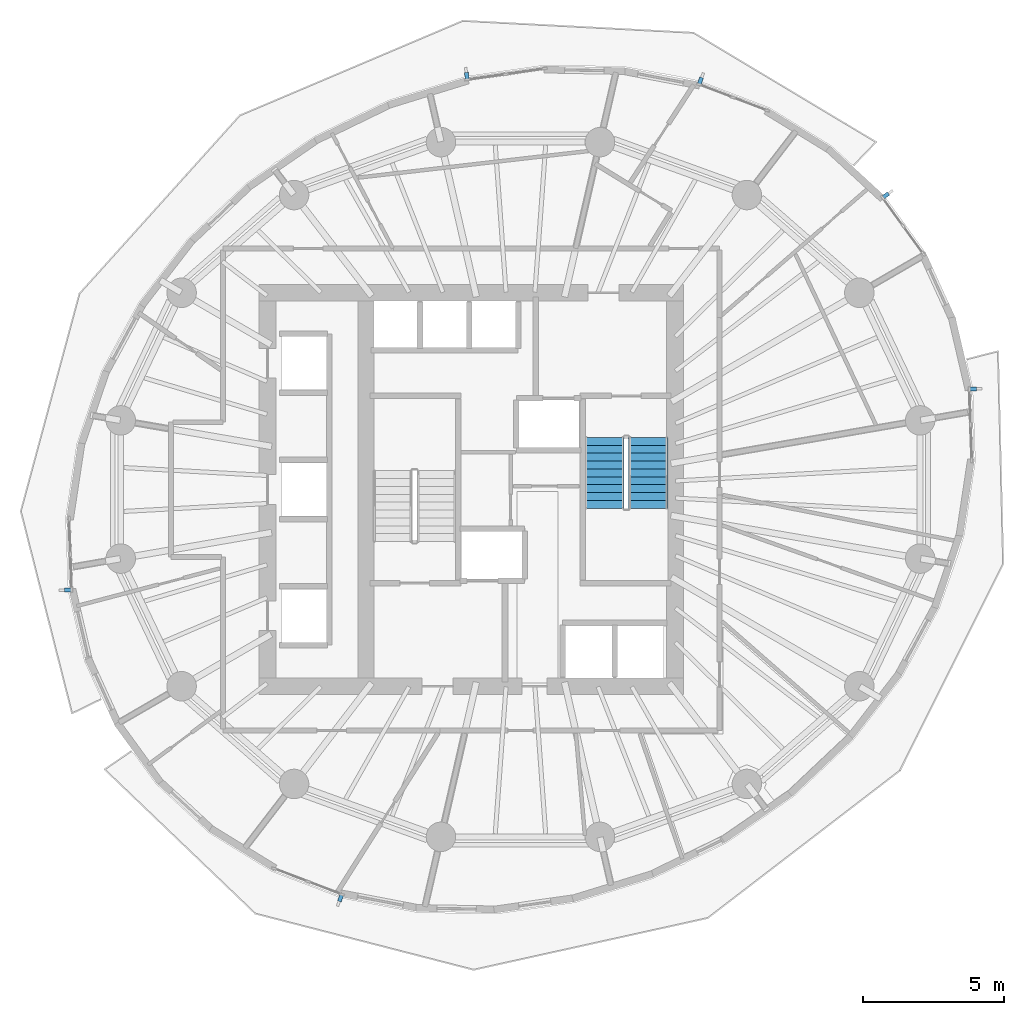
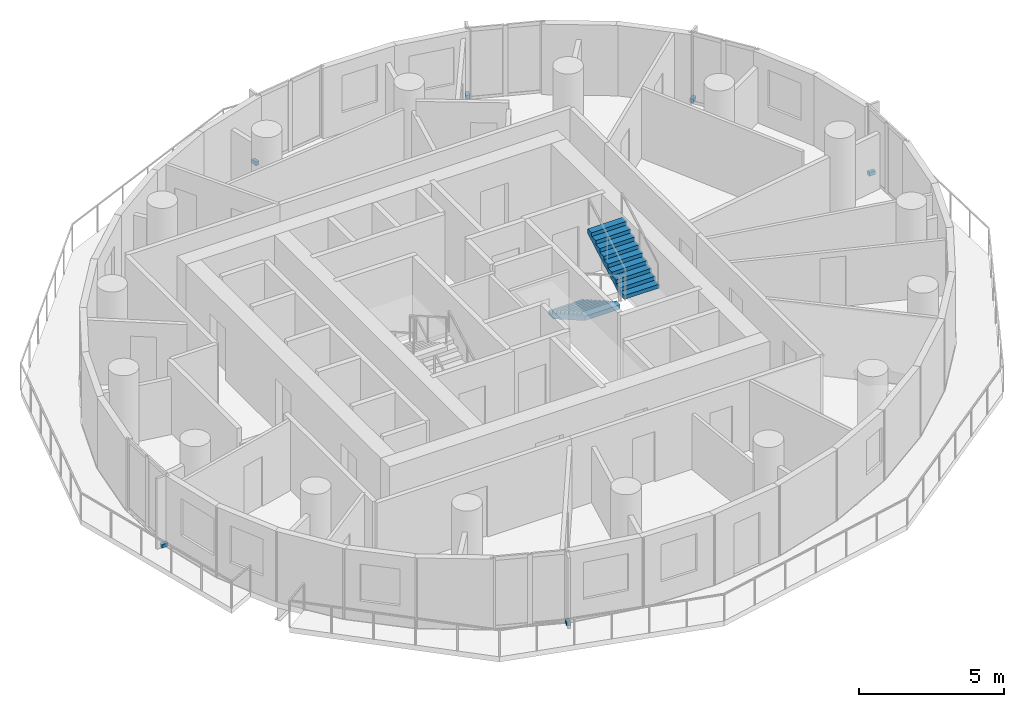
# One storey, part 9 of 14: 6 discrete accessories, 2 stair flights, 1 element without a shape of its own.
"""IFC4 building model written with IfcOpenShell, lengths in metres."""

from ifc_helpers import new_model, si_unit, direction, frame, origin, origin_2d, place, context, subcontext, project, spatial, polyline, rectangle, outline, extrude, material, type_object, element, aggregate, save


model = new_model("IFC4")

# Units and contexts
model_context = context("Model", 3, precision=1e-05, world=origin(), true_north=direction((0.0, 1.0)))
body_context = subcontext(model_context, "Body", "Model", "MODEL_VIEW")
ifc_project = project(units=[si_unit("LENGTHUNIT", "METRE"), si_unit("AREAUNIT", "SQUARE_METRE"), si_unit("VOLUMEUNIT", "CUBIC_METRE"), si_unit("PLANEANGLEUNIT", "RADIAN"), si_unit("MASSUNIT", "GRAM", prefix="KILO")], contexts=[model_context])

# Site, building, storey
site_placement = place(None, origin())
site = spatial("IfcSite", under=ifc_project, at=site_placement, CompositionType="ELEMENT")
building_placement = place(site_placement, origin())
building = spatial("IfcBuilding", under=site, at=building_placement, Name="Veldorim Arch Residences", CompositionType="ELEMENT")
storey_placement = place(building_placement, frame((0.0, 0.0, 129.760009765625)))
storey = spatial("IfcBuildingStorey", under=building, at=storey_placement, Name="L38", CompositionType="ELEMENT", Elevation=129.760009765625)

# Stair, stair flights
ifc_material_1 = material(Name="Concrete C40/50", Category="concrete")
stair_type = type_object("IfcStairType", Name="Reinforced Concrete Dogleg Exit Staircase", PredefinedType="HALF_TURN_STAIR", material=ifc_material_1)
stair_placement = place(storey_placement, origin())
stair = element("IfcStair", 1, at=stair_placement, inside=storey, type_object=stair_type, Name="L38 Exit Staircase ST-2", PredefinedType="HALF_TURN_STAIR")
ifc_material_2 = material(Name="Concrete C40/50", Category="concrete")
stair_flight_type = type_object("IfcStairFlightType", Name="Reinforced Concrete Stair Flight 1400", PredefinedType="STRAIGHT", material=ifc_material_2)
stair_flight_1_placement = place(storey_placement, frame((34.989990234375, 25.85009765625, 0.0), z_axis=(0.0, 0.0, 1.0), x_axis=(0.0, -1.0, 0.0)))
stair_flight_1 = element("IfcStairFlight", 2, at=stair_flight_1_placement, type_object=stair_flight_type, Name="ST-2 flight 1", NumberOfRisers=10, NumberOfTreads=9, PredefinedType="STRAIGHT", RiserHeight=0.16, TreadLength=0.28, context=body_context, shape_type="SweptSolid", body=[
    extrude(outline(polyline([(0.0, 0.0), (0.0, 0.159912109375), (0.280029296875, 0.159912109375), (0.280029296875, 0.320068359375), (0.56005859375, 0.320068359375), (0.56005859375, 0.47998046875), (0.840087890625, 0.47998046875), (0.840087890625, 0.639892578125), (1.1201171875, 0.639892578125), (1.1201171875, 0.800048828125), (1.39990234375, 0.800048828125), (1.39990234375, 0.9599609375), (1.679931640625, 0.9599609375), (1.679931640625, 1.1201171875), (1.9599609375, 1.1201171875), (1.9599609375, 1.280029296875), (2.239990234375, 1.280029296875), (2.239990234375, 1.43994140625), (2.52001953125, 1.43994140625), (2.52001953125, 1.60009765625), (2.52001953125, 1.255859375), (0.322265625, 0.0), (0.0, 0.0)])), frame((0.0, 0.699951171875, 0.0), z_axis=(0.0, -1.0, 0.0), x_axis=(1.0, 0.0, 0.0)), (0.0, 0.0, 1.0), 1.39990234375),
])
stair_flight_2_placement = place(storey_placement, frame((36.550048828125, 23.330078125, 1.60009765625), z_axis=(0.0, 0.0, 1.0), x_axis=(0.0, 1.0, 0.0)))
stair_flight_2 = element("IfcStairFlight", 3, at=stair_flight_2_placement, type_object=stair_flight_type, Name="ST-2 flight 2", NumberOfRisers=10, NumberOfTreads=9, PredefinedType="STRAIGHT", RiserHeight=0.16, TreadLength=0.28, context=body_context, shape_type="SweptSolid", body=[
    extrude(outline(polyline([(0.0, 0.0), (0.0, 0.159912109375), (0.280029296875, 0.159912109375), (0.280029296875, 0.320068359375), (0.56005859375, 0.320068359375), (0.56005859375, 0.47998046875), (0.840087890625, 0.47998046875), (0.840087890625, 0.639892578125), (1.1201171875, 0.639892578125), (1.1201171875, 0.800048828125), (1.39990234375, 0.800048828125), (1.39990234375, 0.9599609375), (1.679931640625, 0.9599609375), (1.679931640625, 1.1201171875), (1.9599609375, 1.1201171875), (1.9599609375, 1.280029296875), (2.239990234375, 1.280029296875), (2.239990234375, 1.43994140625), (2.52001953125, 1.43994140625), (2.52001953125, 1.60009765625), (2.52001953125, 1.255859375), (0.322265625, 0.0), (0.0, 0.0)])), frame((0.0, 0.699951171875, 0.0), z_axis=(0.0, -1.0, 0.0), x_axis=(1.0, 0.0, 0.0)), (0.0, 0.0, 1.0), 1.39990234375),
])
aggregate(stair, [stair_flight_1, stair_flight_2])

# Discrete accessories
ifc_material_3 = material(Name="Stainless Steel", Category="steel")
discrete_accessory_type = type_object("IfcDiscreteAccessoryType", Name="Stainless Steel Facade Fin Anchor Bracket", PredefinedType="BRACKET", material=ifc_material_3)
for number, where, z_axis, x_axis, name in (
    (4, (44.99951171875, 34.4619140625, -0.02001953125), (0.0, 0.0, 1.0), (0.587644043238, -0.809119569932, 0.0), "L38 stainless fin anchor bracket 01"),
    (5, (38.40234375, 38.540283203125, -0.02001953125), (0.0, 0.0, 1.0), (0.934079892355, -0.357064076459, 0.0), "L38 stainless fin anchor bracket 04"),
    (6, (30.09033203125, 38.71875, -0.02001953125), (0.0, 0.0, 1.0), (0.989850775563, 0.142110668555, 0.0), "L38 stainless fin anchor bracket 07"),
    (7, (15.89013671875, 20.42041015625, -0.02001953125), (0.0, 0.0, 1.0), (-0.035422771708, 0.999372416692, 0.0), "L38 stainless fin anchor bracket 16"),
    (8, (25.59765625, 9.459716796875, -0.02001953125), (0.0, 0.0, 1.0), (-0.934079892355, 0.357064076459, 0.0), "L38 stainless fin anchor bracket 22"),
    (9, (48.10986328125, 27.57958984375, -0.02001953125), (0.0, 0.0, 1.0), (0.035422771708, -0.999372416692, 0.0), "L38 stainless fin anchor bracket 34"),
):
    element("IfcDiscreteAccessory", number, at=place(storey_placement, frame(where, z_axis=z_axis, x_axis=x_axis)), inside=storey, type_object=discrete_accessory_type, Name=name, PredefinedType="BRACKET", context=body_context, shape_type="SweptSolid", body=[
        extrude(rectangle(XDim=0.139892578125, YDim=0.239990234375, at=origin_2d()), origin(), (0.0, 0.0, 1.0), 0.159912109375),
    ])

save(model, "model.ifc")
